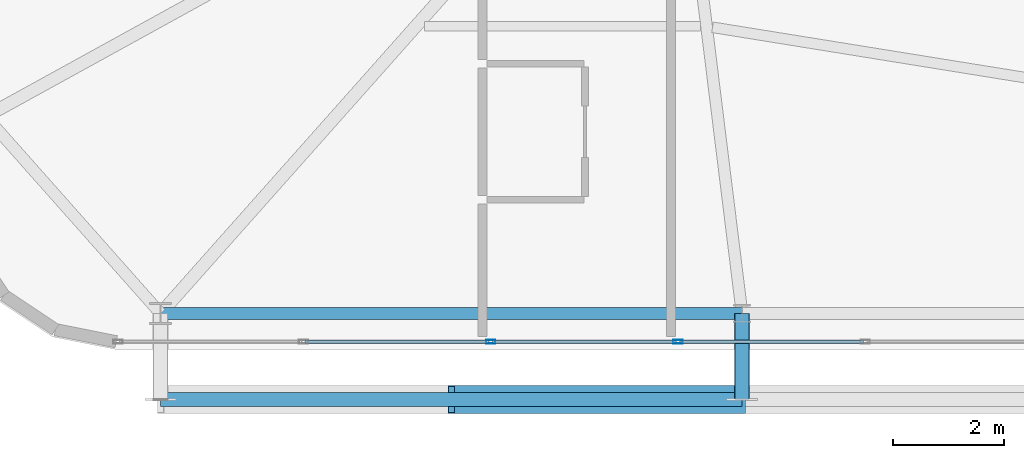
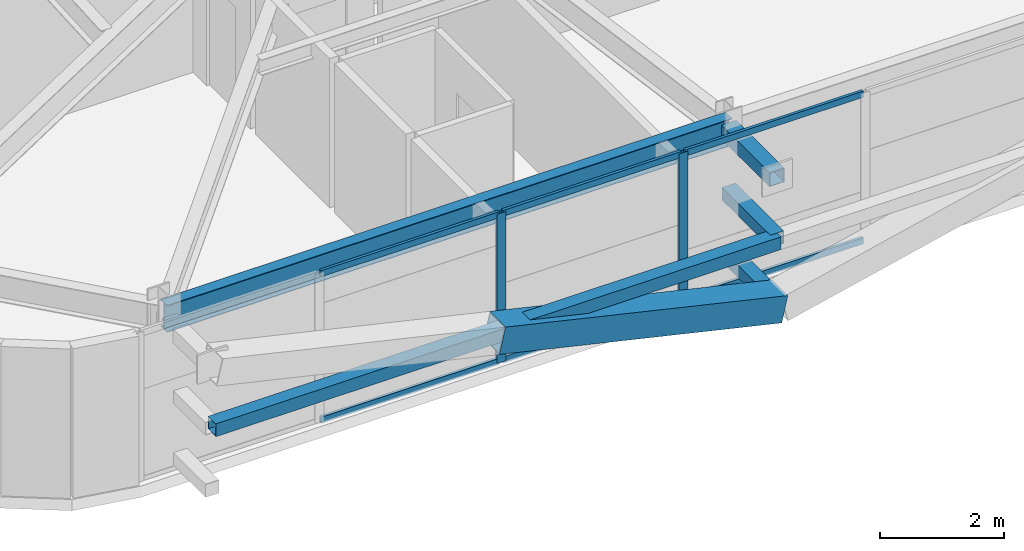
# One storey, part 6 of 59: 13 members, 1 beam, 1 element without a shape of its own.
"""IFC4 building model written with IfcOpenShell, lengths in metres."""

from ifc_helpers import new_model, si_unit, direction, frame, origin, origin_2d, place, context, subcontext, project, spatial, hollow_rectangle, i_section, extrude, source, transform, mapped, material, layer, layer_set, material_profile, profile_set, type_object, element, aggregate, save


model = new_model("IFC4")

# Units and contexts
model_context = context("Model", 3, precision=1e-05, world=origin(), true_north=direction((0.0, 1.0)))
body_context = subcontext(model_context, "Body", "Model", "MODEL_VIEW")
ifc_project = project(units=[si_unit("LENGTHUNIT", "METRE"), si_unit("AREAUNIT", "SQUARE_METRE"), si_unit("VOLUMEUNIT", "CUBIC_METRE"), si_unit("PLANEANGLEUNIT", "RADIAN"), si_unit("MASSUNIT", "GRAM", prefix="KILO")], contexts=[model_context])

# Site, building, storey
site_placement = place(None, origin())
site = spatial("IfcSite", under=ifc_project, at=site_placement, CompositionType="ELEMENT")
building_placement = place(site_placement, origin())
building = spatial("IfcBuilding", under=site, at=building_placement, Name="Taldren Reach Tower", CompositionType="ELEMENT")
storey_placement = place(building_placement, frame((0.0, 0.0, 26.25)))
storey = spatial("IfcBuildingStorey", under=building, at=storey_placement, Name="L07", CompositionType="ELEMENT", Elevation=26.25)

# Beam
ifc_material_1 = material(Name="Steel Gr 350 (350PLUS)", Category="steel")
ifc_material_profile_1 = material_profile(ifc_material_1, i_section(OverallWidth=0.208984375, OverallDepth=0.528076171875, WebThickness=0.009521484375, FlangeThickness=0.01318359375, at=origin_2d()), Name="530UB82.0")
ifc_profile_set_1 = profile_set([ifc_material_profile_1], Name="Steel Gr 350 (350PLUS)")
beam_type = type_object("IfcBeamType", Name="SP-UB530B", PredefinedType="SPANDREL", material=ifc_profile_set_1)
shared_shape_1 = source(origin(), body_context, "Body", "SweptSolid", [
    extrude(i_section(OverallWidth=0.208984375, OverallDepth=0.528076171875, WebThickness=0.009521484375, FlangeThickness=0.01318359375, at=origin_2d()), origin(), (0.0, 0.0, 1.0), 10.47998046875),
])
beam_placement = place(storey_placement, frame((8.800048828125, 2.14990234375, 2.666015625), z_axis=(1.0, 0.0, 0.0), x_axis=(0.0, 1.0, 0.0)))
element("IfcBeam", 1, at=beam_placement, inside=storey, type_object=beam_type, Name="Perimeter spandrel B1 S1-S2 L07", PredefinedType="SPANDREL", context=body_context, shape_type="MappedRepresentation", body=[
    mapped(shared_shape_1, transform((0.0, 0.0, 0.0), scale=1.0)),
])

# Members
ifc_material_2 = material(Name="Steel Gr 450 (C450L0)", Category="steel")
ifc_material_profile_2 = material_profile(ifc_material_2, hollow_rectangle(XDim=0.27490234375, YDim=0.27490234375, WallThickness=0.00927734375, at=origin_2d()), Name="275x275x9.3SHS")
ifc_profile_set_2 = profile_set([ifc_material_profile_2], Name="Steel Gr 450 (C450L0)")
member_type_1 = type_object("IfcMemberType", Name="MB-TIE273", PredefinedType="STRUT", material=ifc_profile_set_2)
shared_shape_2 = source(origin(), body_context, "Body", "SweptSolid", [
    extrude(hollow_rectangle(XDim=0.27490234375, YDim=0.27490234375, WallThickness=0.00927734375, at=origin_2d()), origin(), (0.0, 0.0, 1.0), 1.5498046875),
])
member_1_placement = place(storey_placement, frame((19.280029296875, 2.14990234375, 2.64990234375), z_axis=(0.0, -1.0, 0.0), x_axis=(1.0, 0.0, 0.0)))
element("IfcMember", 2, at=member_1_placement, inside=storey, type_object=member_type_1, Name="Exoskeleton diaphragm tie strut B1-S2 L07", PredefinedType="STRUT", context=body_context, shape_type="MappedRepresentation", body=[
    mapped(shared_shape_2, transform((0.0, 0.0, 0.0), scale=1.0)),
])
ifc_material_profile_3 = material_profile(ifc_material_2, hollow_rectangle(XDim=0.510009765625, YDim=0.510009765625, WallThickness=0.02001953125, at=origin_2d()), Name="510x510x20.0SHS")
ifc_profile_set_3 = profile_set([ifc_material_profile_3], Name="Steel Gr 450 (C450L0)")
member_type_2 = type_object("IfcMemberType", Name="MB-EXO508", PredefinedType="BRACE", material=ifc_profile_set_3)
shared_shape_3 = source(origin(), body_context, "Body", "SweptSolid", [
    extrude(hollow_rectangle(XDim=0.510009765625, YDim=0.510009765625, WallThickness=0.02001953125, at=origin_2d()), origin(), (0.0, 0.0, 1.0), 5.37890625),
])
member_2_placement = place(storey_placement, frame((19.280029296875, 0.60009765625, 0.219970703125), z_axis=(-0.97415197996, 0.0, 0.225893603143), x_axis=(0.0, -1.0, 0.0)))
element("IfcMember", 3, at=member_2_placement, inside=storey, type_object=member_type_2, Name="Exoskeleton Diagrid Brace B1-S1 L07", PredefinedType="BRACE", context=body_context, shape_type="MappedRepresentation", body=[
    mapped(shared_shape_3, transform((0.0, 0.0, 0.0), scale=1.0)),
])
ifc_material_3 = material(Name="Steel Gr 350 (C350L0)", Category="steel")
ifc_material_profile_4 = material_profile(ifc_material_3, hollow_rectangle(XDim=0.25, YDim=0.25, WallThickness=0.010009765625, at=origin_2d()), Name="250x250x10.0SHS")
ifc_profile_set_4 = profile_set([ifc_material_profile_4], Name="Steel Gr 350 (C350L0)")
member_type_3 = type_object("IfcMemberType", Name="MB-POST250", PredefinedType="POST", material=ifc_profile_set_4)
shared_shape_4 = source(origin(), body_context, "Body", "SweptSolid", [
    extrude(hollow_rectangle(XDim=0.25, YDim=0.25, WallThickness=0.010009765625, at=origin_2d()), origin(), (0.0, 0.0, 1.0), 10.47998046875),
])
member_3_placement = place(storey_placement, frame((8.800048828125, 0.60009765625, 1.43505859375), z_axis=(1.0, 0.0, 0.0), x_axis=(0.0, 1.0, 0.0)))
element("IfcMember", 4, at=member_3_placement, inside=storey, type_object=member_type_3, Name="Exoskeleton mid-height ring chord B1-S1 L07", PredefinedType="POST", context=body_context, shape_type="MappedRepresentation", body=[
    mapped(shared_shape_4, transform((0.0, 0.0, 0.0), scale=1.0)),
])
shared_shape_5 = source(origin(), body_context, "Body", "SweptSolid", [
    extrude(hollow_rectangle(XDim=0.25, YDim=0.25, WallThickness=0.010009765625, at=origin_2d()), origin(), (0.0, 0.0, 1.0), 1.5498046875),
])
for number, where, z_axis, x_axis, name in (
    (5, (19.280029296875, 2.14990234375, 0.219970703125), (0.0, -1.0, 0.0), (1.0, 0.0, 0.0), "Exoskeleton base diaphragm tie strut B1-S2 L07"),
    (6, (19.280029296875, 2.14990234375, 1.43505859375), (0.0, -1.0, 0.0), (1.0, 0.0, 0.0), "Exoskeleton mid-tier diaphragm tie B1-S2 L07"),
):
    element("IfcMember", number, at=place(storey_placement, frame(where, z_axis=z_axis, x_axis=x_axis)), inside=storey, type_object=member_type_3, Name=name, PredefinedType="POST", context=body_context, shape_type="MappedRepresentation", body=[
        mapped(shared_shape_5, transform((0.0, 0.0, 0.0), scale=1.0)),
    ])

# Curtain wall, members
ifc_material_4 = material(Name="Aluminium and Low-E Glass Unitised System", Category="aluminium")
ifc_layer = layer(ifc_material_4, 0.159912109375)
ifc_layer_set = layer_set([ifc_layer], Name="Aluminium and Low-E Glass Unitised System")
curtain_wall_type = type_object("IfcCurtainWallType", Name="CW-SYS-2", PredefinedType="NOTDEFINED", material=ifc_layer_set)
curtain_wall_placement = place(storey_placement, origin())
curtain_wall = element("IfcCurtainWall", 7, at=curtain_wall_placement, inside=storey, type_object=curtain_wall_type, Name="Unitised curtain wall CW-L07-S", PredefinedType="NOTDEFINED")
ifc_material_5 = material(Name="Anodised Aluminium 6063-T6", Category="aluminium")
ifc_material_profile_5 = material_profile(ifc_material_5, hollow_rectangle(XDim=0.06494140625, YDim=0.1650390625, WallThickness=0.00390625, at=origin_2d()), Name="ALU-165x65x4RHS")
ifc_profile_set_5 = profile_set([ifc_material_profile_5], Name="Anodised Aluminium 6063-T6")
member_type_4 = type_object("IfcMemberType", Name="CW-MUL-165", PredefinedType="MULLION", material=ifc_profile_set_5)
shared_shape_6 = source(origin(), body_context, "Body", "SweptSolid", [
    extrude(hollow_rectangle(XDim=0.06494140625, YDim=0.1650390625, WallThickness=0.00390625, at=origin_2d()), origin(), (0.0, 0.0, 1.0), 2.929931640625),
])
member_4_placement = place(storey_placement, frame((14.75, 1.639892578125, 0.0), z_axis=(0.0, 0.0, 1.0), x_axis=(0.0, 1.0, 0.0)))
member_4 = element("IfcMember", 8, at=member_4_placement, type_object=member_type_4, Name="CW-2 mullion 3", PredefinedType="MULLION", context=body_context, shape_type="MappedRepresentation", body=[
    mapped(shared_shape_6, transform((0.0, 0.0, 0.0), scale=1.0)),
])
member_5_placement = place(storey_placement, frame((18.125, 1.639892578125, 0.0), z_axis=(0.0, 0.0, 1.0), x_axis=(0.0, 1.0, 0.0)))
member_5 = element("IfcMember", 9, at=member_5_placement, type_object=member_type_4, Name="CW-2 mullion 4", PredefinedType="MULLION", context=body_context, shape_type="MappedRepresentation", body=[
    mapped(shared_shape_6, transform((0.0, 0.0, 0.0), scale=1.0)),
])
ifc_material_profile_6 = material_profile(ifc_material_5, hollow_rectangle(XDim=0.054931640625, YDim=0.1201171875, WallThickness=0.0029296875, at=origin_2d()), Name="ALU-120x55x3RHS")
ifc_profile_set_6 = profile_set([ifc_material_profile_6], Name="Anodised Aluminium 6063-T6")
member_type_5 = type_object("IfcMemberType", Name="CW-TRN-135", PredefinedType="USERDEFINED", material=ifc_profile_set_6)
shared_shape_7 = source(origin(), body_context, "Body", "SweptSolid", [
    extrude(hollow_rectangle(XDim=0.054931640625, YDim=0.1201171875, WallThickness=0.0029296875, at=origin_2d()), origin(), (0.0, 0.0, 1.0), 3.31005859375),
])
member_6_placement = place(storey_placement, frame((11.407470703125, 1.639892578125, 0.027587890625), z_axis=(1.0, 0.0, 0.0), x_axis=(0.0, 1.0, 0.0)))
member_6 = element("IfcMember", 10, at=member_6_placement, type_object=member_type_5, Name="CW-2 transom 2.1", ObjectType="TRANSOM", PredefinedType="USERDEFINED", context=body_context, shape_type="MappedRepresentation", body=[
    mapped(shared_shape_7, transform((0.0, 0.0, 0.0), scale=1.0)),
])
member_7_placement = place(storey_placement, frame((11.407470703125, 1.639892578125, 2.902587890625), z_axis=(1.0, 0.0, 0.0), x_axis=(0.0, 1.0, 0.0)))
member_7 = element("IfcMember", 11, at=member_7_placement, type_object=member_type_5, Name="CW-2 transom 2.2", ObjectType="TRANSOM", PredefinedType="USERDEFINED", context=body_context, shape_type="MappedRepresentation", body=[
    mapped(shared_shape_7, transform((0.0, 0.0, 0.0), scale=1.0)),
])
member_8_placement = place(storey_placement, frame((14.782470703125, 1.639892578125, 0.027587890625), z_axis=(1.0, 0.0, 0.0), x_axis=(0.0, 1.0, 0.0)))
member_8 = element("IfcMember", 12, at=member_8_placement, type_object=member_type_5, Name="CW-2 transom 3.1", ObjectType="TRANSOM", PredefinedType="USERDEFINED", context=body_context, shape_type="MappedRepresentation", body=[
    mapped(shared_shape_7, transform((0.0, 0.0, 0.0), scale=1.0)),
])
member_9_placement = place(storey_placement, frame((14.782470703125, 1.639892578125, 2.902587890625), z_axis=(1.0, 0.0, 0.0), x_axis=(0.0, 1.0, 0.0)))
member_9 = element("IfcMember", 13, at=member_9_placement, type_object=member_type_5, Name="CW-2 transom 3.2", ObjectType="TRANSOM", PredefinedType="USERDEFINED", context=body_context, shape_type="MappedRepresentation", body=[
    mapped(shared_shape_7, transform((0.0, 0.0, 0.0), scale=1.0)),
])
member_10_placement = place(storey_placement, frame((18.157470703125, 1.639892578125, 0.027587890625), z_axis=(1.0, 0.0, 0.0), x_axis=(0.0, 1.0, 0.0)))
member_10 = element("IfcMember", 14, at=member_10_placement, type_object=member_type_5, Name="CW-2 transom 4.1", ObjectType="TRANSOM", PredefinedType="USERDEFINED", context=body_context, shape_type="MappedRepresentation", body=[
    mapped(shared_shape_7, transform((0.0, 0.0, 0.0), scale=1.0)),
])
member_11_placement = place(storey_placement, frame((18.157470703125, 1.639892578125, 2.902587890625), z_axis=(1.0, 0.0, 0.0), x_axis=(0.0, 1.0, 0.0)))
member_11 = element("IfcMember", 15, at=member_11_placement, type_object=member_type_5, Name="CW-2 transom 4.2", ObjectType="TRANSOM", PredefinedType="USERDEFINED", context=body_context, shape_type="MappedRepresentation", body=[
    mapped(shared_shape_7, transform((0.0, 0.0, 0.0), scale=1.0)),
])
aggregate(curtain_wall, [member_4, member_5, member_6, member_7, member_8, member_9, member_10, member_11])

save(model, "model.ifc")
